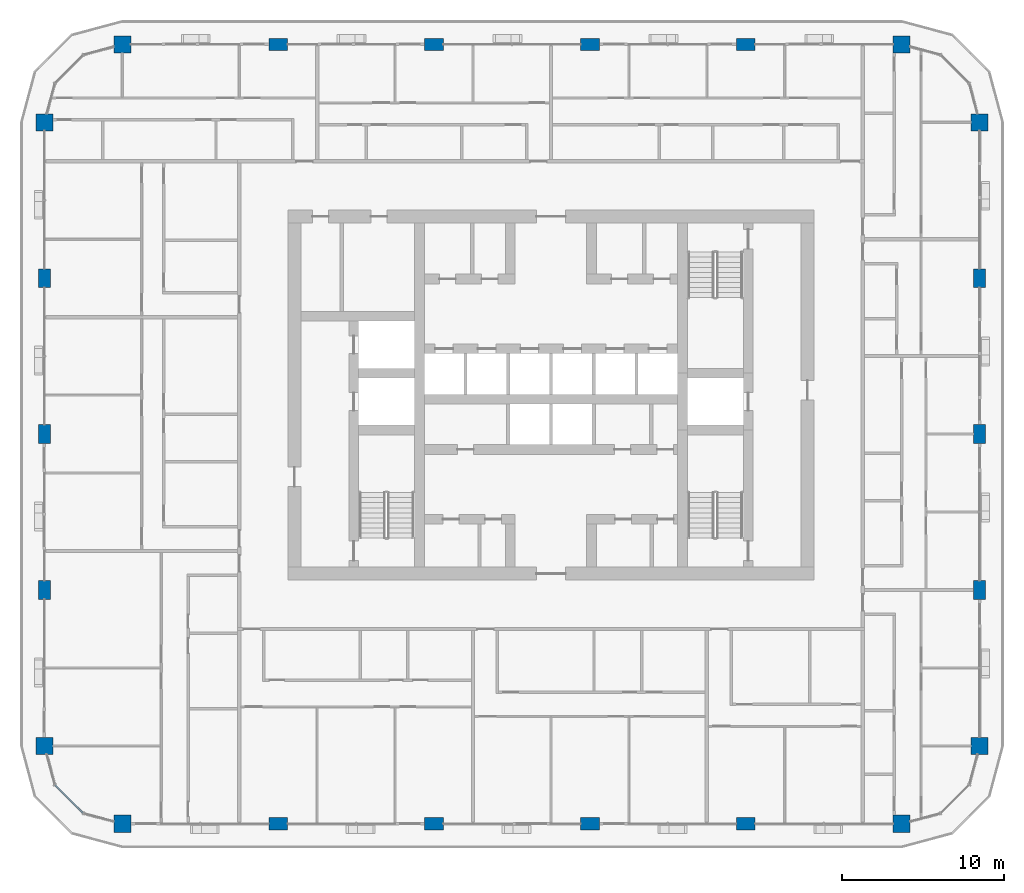
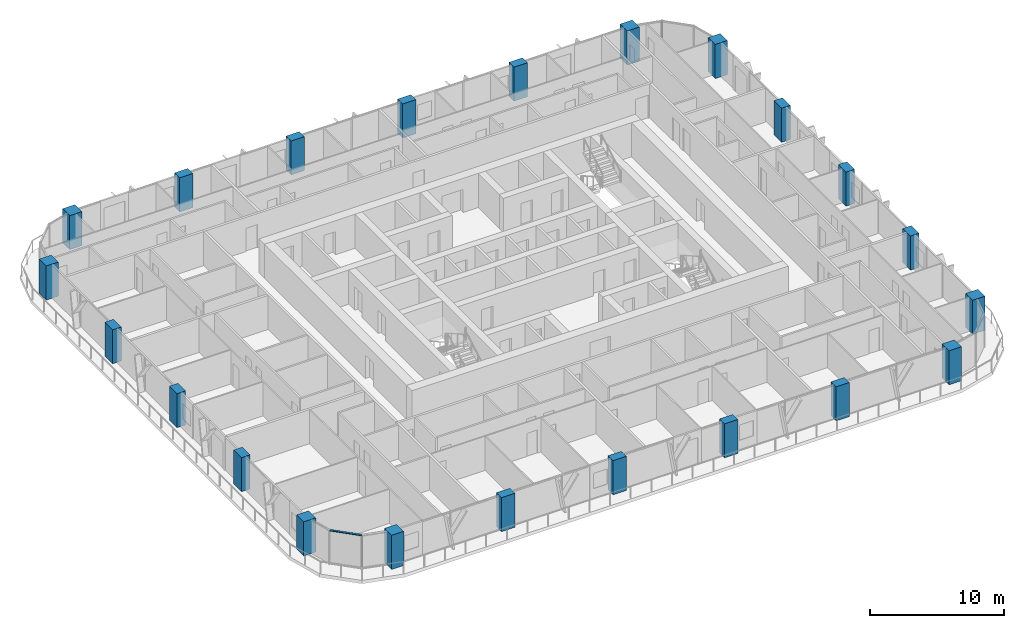
# One storey, part 1 of 22: 22 columns, 1 member, 1 element without a shape of its own.
"""IFC4 building model written with IfcOpenShell, lengths in metres."""

from ifc_helpers import new_model, si_unit, direction, frame, origin, origin_2d, place, context, subcontext, project, spatial, rectangle, extrude, material, layer, layer_set, material_profile, profile_set, type_object, element, aggregate, save


model = new_model("IFC4")

# Units and contexts
model_context = context("Model", 3, precision=1e-05, world=origin(), true_north=direction((0.0, 1.0)))
body_context = subcontext(model_context, "Body", "Model", "MODEL_VIEW")
ifc_project = project(units=[si_unit("LENGTHUNIT", "METRE"), si_unit("AREAUNIT", "SQUARE_METRE"), si_unit("VOLUMEUNIT", "CUBIC_METRE"), si_unit("PLANEANGLEUNIT", "RADIAN"), si_unit("MASSUNIT", "GRAM", prefix="KILO")], contexts=[model_context])

# Site, building, storey
site_placement = place(None, origin())
site = spatial("IfcSite", under=ifc_project, at=site_placement, CompositionType="ELEMENT")
building_placement = place(site_placement, origin())
building = spatial("IfcBuilding", under=site, at=building_placement, Name="Madar Terraces", CompositionType="ELEMENT")
storey_placement = place(building_placement, frame((0.0, 0.0, 170.0)))
storey = spatial("IfcBuildingStorey", under=building, at=storey_placement, Name="L44", CompositionType="ELEMENT", Elevation=170.0)

# Columns
ifc_material_1 = material(Name="Concrete C70/85", Category="concrete")
ifc_material_profile_1 = material_profile(ifc_material_1, rectangle(XDim=1.14990234375, YDim=0.75, at=origin_2d()), Name="CC3 RC 1150x750")
ifc_profile_set_1 = profile_set([ifc_material_profile_1], Name="Concrete C70/85")
column_type_1 = type_object("IfcColumnType", Name="CC3 RC 1150x750", PredefinedType="COLUMN", material=ifc_profile_set_1)
for number, where, z_axis, x_axis, name in (
    (1, (14.39990234375, 0.0, 0.0), (0.0, 0.0, 1.0), (1.0, 0.0, 0.0), "Perimeter column S2"),
    (2, (24.0, 0.0, 0.0), (0.0, 0.0, 1.0), (1.0, 0.0, 0.0), "Perimeter column S3"),
    (3, (33.60009765625, 0.0, 0.0), (0.0, 0.0, 1.0), (1.0, 0.0, 0.0), "Perimeter column S4"),
    (4, (43.199951171875, 0.0, 0.0), (0.0, 0.0, 1.0), (1.0, 0.0, 0.0), "Perimeter column S5"),
    (5, (57.60009765625, 14.39990234375, 0.0), (0.0, 0.0, 1.0), (0.0, 1.0, 0.0), "Perimeter column E2"),
    (6, (57.60009765625, 24.0, 0.0), (0.0, 0.0, 1.0), (0.0, 1.0, 0.0), "Perimeter column E3"),
    (7, (57.60009765625, 33.60009765625, 0.0), (0.0, 0.0, 1.0), (0.0, 1.0, 0.0), "Perimeter column E4"),
    (8, (43.199951171875, 48.0, 0.0), (0.0, 0.0, 1.0), (1.0, 0.0, 0.0), "Perimeter column N2"),
    (9, (33.60009765625, 48.0, 0.0), (0.0, 0.0, 1.0), (1.0, 0.0, 0.0), "Perimeter column N3"),
    (10, (24.0, 48.0, 0.0), (0.0, 0.0, 1.0), (1.0, 0.0, 0.0), "Perimeter column N4"),
    (11, (14.39990234375, 48.0, 0.0), (0.0, 0.0, 1.0), (1.0, 0.0, 0.0), "Perimeter column N5"),
    (12, (0.0, 33.60009765625, 0.0), (0.0, 0.0, 1.0), (0.0, 1.0, 0.0), "Perimeter column W2"),
    (13, (0.0, 24.0, 0.0), (0.0, 0.0, 1.0), (0.0, 1.0, 0.0), "Perimeter column W3"),
    (14, (0.0, 14.39990234375, 0.0), (0.0, 0.0, 1.0), (0.0, 1.0, 0.0), "Perimeter column W4"),
):
    element("IfcColumn", number, at=place(storey_placement, frame(where, z_axis=z_axis, x_axis=x_axis)), inside=storey, type_object=column_type_1, Name=name, PredefinedType="COLUMN", context=body_context, shape_type="SweptSolid", body=[
        extrude(rectangle(XDim=1.14990234375, YDim=0.75, at=origin_2d()), origin(), (0.0, 0.0, 1.0), 3.10009765625),
    ])
ifc_material_2 = material(Name="Concrete C70/85", Category="concrete")
ifc_material_profile_2 = material_profile(ifc_material_2, rectangle(XDim=1.050048828125, YDim=1.050048828125, at=origin_2d()), Name="KC3 RC 1050x1050")
ifc_profile_set_2 = profile_set([ifc_material_profile_2], Name="Concrete C70/85")
column_type_2 = type_object("IfcColumnType", Name="KC3 RC 1050x1050", PredefinedType="COLUMN", material=ifc_profile_set_2)
for number, where, z_axis, x_axis, name in (
    (15, (4.800048828125, 0.0, 0.0), (0.0, 0.0, 1.0), (1.0, 0.0, 0.0), "Perimeter column S1"),
    (16, (52.800048828125, 0.0, 0.0), (0.0, 0.0, 1.0), (1.0, 0.0, 0.0), "Perimeter column S6"),
    (17, (57.60009765625, 4.800048828125, 0.0), (0.0, 0.0, 1.0), (1.0, 0.0, 0.0), "Perimeter column E1"),
    (18, (57.60009765625, 43.199951171875, 0.0), (0.0, 0.0, 1.0), (1.0, 0.0, 0.0), "Perimeter column E5"),
    (19, (52.800048828125, 48.0, 0.0), (0.0, 0.0, 1.0), (1.0, 0.0, 0.0), "Perimeter column N1"),
    (20, (4.800048828125, 48.0, 0.0), (0.0, 0.0, 1.0), (1.0, 0.0, 0.0), "Perimeter column N6"),
    (21, (0.0, 43.199951171875, 0.0), (0.0, 0.0, 1.0), (1.0, 0.0, 0.0), "Perimeter column W1"),
    (22, (0.0, 4.800048828125, 0.0), (0.0, 0.0, 1.0), (1.0, 0.0, 0.0), "Perimeter column W5"),
):
    element("IfcColumn", number, at=place(storey_placement, frame(where, z_axis=z_axis, x_axis=x_axis)), inside=storey, type_object=column_type_2, Name=name, PredefinedType="COLUMN", context=body_context, shape_type="SweptSolid", body=[
        extrude(rectangle(XDim=1.050048828125, YDim=1.050048828125, at=origin_2d()), origin(), (0.0, 0.0, 1.0), 3.10009765625),
    ])

# Curtain wall, member
ifc_material_3 = material(Name="Glass, ceramic frit dark grey, with black aluminium frame", Category="aluminium")
ifc_layer = layer(ifc_material_3, 0.199951171875)
ifc_layer_set = layer_set([ifc_layer], Name="Facade curtain wall, fritted glass")
curtain_wall_type = type_object("IfcCurtainWallType", Name="Facade curtain wall, fritted glass", PredefinedType="NOTDEFINED", material=ifc_layer_set)
curtain_wall_placement = place(storey_placement, origin())
curtain_wall = element("IfcCurtainWall", 23, at=curtain_wall_placement, inside=storey, type_object=curtain_wall_type, Name="Outer skin curtain wall south-west corner", PredefinedType="NOTDEFINED")
ifc_material_4 = material(Name="Aluminium, black anodised", Category="aluminium")
ifc_material_profile_3 = material_profile(ifc_material_4, rectangle(XDim=0.1201171875, YDim=0.06005859375, at=origin_2d()), Name="Facade transom 60x120")
ifc_profile_set_3 = profile_set([ifc_material_profile_3], Name="Aluminium, black anodised")
member_type = type_object("IfcMemberType", Name="Facade transom 60x120", PredefinedType="USERDEFINED", material=ifc_profile_set_3)
member_placement = place(storey_placement, frame((0.664306640625, 2.37890625, 3.070068359375), z_axis=(0.707106781187, -0.707106781187, 0.0), x_axis=(0.707106781187, 0.707106781187, 0.0)))
member = element("IfcMember", 24, at=member_placement, type_object=member_type, Name="Transom 2", ObjectType="TRANSOM", PredefinedType="USERDEFINED", context=body_context, shape_type="SweptSolid", body=[
    extrude(rectangle(XDim=0.1201171875, YDim=0.06005859375, at=origin_2d()), origin(), (0.0, 0.0, 1.0), 2.4248046875),
])
aggregate(curtain_wall, [member])

save(model, "model.ifc")
